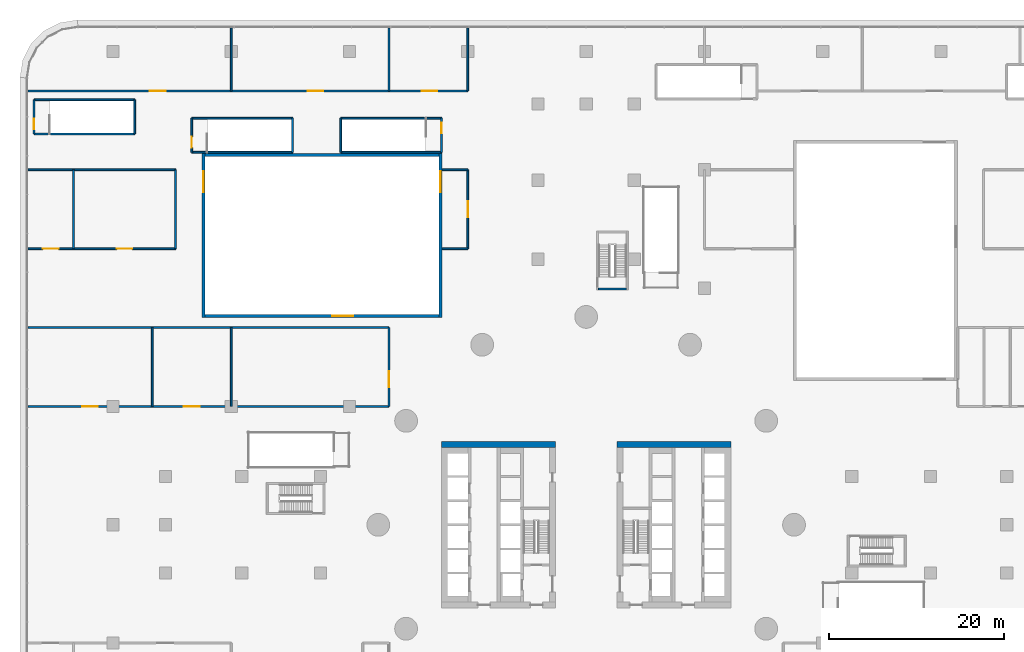
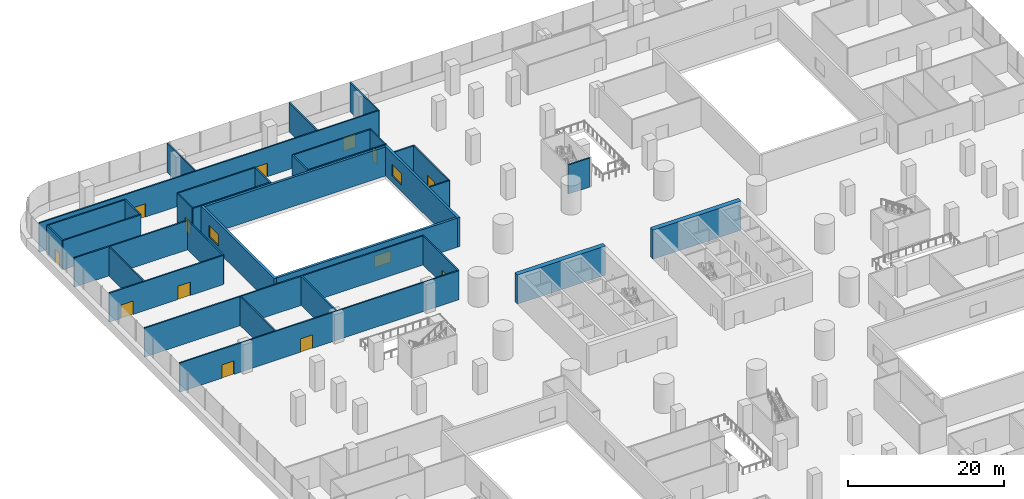
# One storey, part 27 of 38: 35 walls, 12 doors, 3 windows, 15 openings.
"""IFC4 building model written with IfcOpenShell, lengths in metres."""

from ifc_helpers import new_model, si_unit, direction, frame, frame_2d, origin, place, context, subcontext, project, spatial, rectangle, extrude, material, layer, layer_set, type_object, element, fill, save


model = new_model("IFC4")

# Units and contexts
model_context = context("Model", 3, precision=1e-05, world=origin(), true_north=direction((0.0, 1.0)))
body_context = subcontext(model_context, "Body", "Model", "MODEL_VIEW")
ifc_project = project(units=[si_unit("LENGTHUNIT", "METRE"), si_unit("AREAUNIT", "SQUARE_METRE"), si_unit("VOLUMEUNIT", "CUBIC_METRE"), si_unit("PLANEANGLEUNIT", "RADIAN"), si_unit("MASSUNIT", "GRAM", prefix="KILO")], contexts=[model_context])

# Site, building, storey
site_placement = place(None, origin())
site = spatial("IfcSite", under=ifc_project, at=site_placement, CompositionType="ELEMENT")
building_placement = place(site_placement, origin())
building = spatial("IfcBuilding", under=site, at=building_placement, Name="Tamarind Cross Interchange Tower", CompositionType="ELEMENT")
storey_placement = place(building_placement, frame((0.0, 0.0, 20.0)))
storey = spatial("IfcBuildingStorey", under=building, at=storey_placement, Name="L03", CompositionType="ELEMENT", Elevation=20.0)

# Walls
ifc_material_1 = material(Name="Concrete C80", Category="concrete")
ifc_layer_1 = layer(ifc_material_1, 0.699951171875)
ifc_layer_set_1 = layer_set([ifc_layer_1], Name="Concrete C80")
wall_type_1 = type_object("IfcWallType", Name="Core wall 700 mm Concrete C80", PredefinedType="SHEAR", material=ifc_layer_set_1)
for number, where, z_axis, x_axis, name in (
    (1, (-16.5, 9.14990234375, 0.0), (0.0, 0.0, 1.0), (1.0, 0.0, 0.0), "Core wall CWL-L03-W-NE"),
    (2, (16.5, 9.14990234375, 0.0), (0.0, 0.0, 1.0), (-1.0, 0.0, 0.0), "Core wall CWL-L03-E-NE"),
):
    element("IfcWall", number, at=place(storey_placement, frame(where, z_axis=z_axis, x_axis=x_axis)), inside=storey, type_object=wall_type_1, Name=name, PredefinedType="SHEAR", context=body_context, shape_type="SweptSolid", body=[
        extrude(rectangle(XDim=13.0, YDim=0.699951171875, at=frame_2d((6.5, 0.0))), origin(), (0.0, 0.0, 1.0), 4.550048828125),
    ])

# Wall, openings, doors
ifc_material_2 = material(Name="Masonry partition, fire-rated", Category="masonry")
ifc_layer_2 = layer(ifc_material_2, 0.199951171875)
ifc_layer_set_2 = layer_set([ifc_layer_2], Name="Masonry partition, fire-rated")
wall_type_2 = type_object("IfcWallType", Name="Fire partition 200 EI 120", PredefinedType="PARTITIONING", material=ifc_layer_set_2)
wall_1_placement = place(storey_placement, frame((-63.698974609375, 13.5, 0.0), z_axis=(0.0, 0.0, 1.0), x_axis=(1.0, 0.0, 0.0)))
wall_1 = element("IfcWall", 3, at=wall_1_placement, inside=storey, type_object=wall_type_2, Name="L03 partition 54", PredefinedType="PARTITIONING", context=body_context, shape_type="SweptSolid", body=[
    extrude(rectangle(XDim=41.198974609375, YDim=0.199951171875, at=frame_2d((20.599609375, 0.0))), origin(), (0.0, 0.0, 1.0), 4.550048828125),
])
opening_1_placement = place(wall_1_placement, frame((17.799072265625, 0.0, 0.0)))
opening_1 = element("IfcOpeningElement", 4, at=opening_1_placement, cuts=wall_1, Name="Opening DL03-25", PredefinedType="OPENING", context=body_context, shape_type="SweptSolid", body=[
    extrude(rectangle(XDim=1.800048828125, YDim=2.10009765625, at=frame_2d((0.89990234375, 1.050048828125))), frame((0.0, 0.10986328125, 0.0), z_axis=(0.0, -1.0, 0.0), x_axis=(1.0, 0.0, 0.0)), (0.0, 0.0, 1.0), 0.219970703125),
])
opening_2_placement = place(wall_1_placement, frame((6.198974609375, 0.0, 0.0)))
opening_2 = element("IfcOpeningElement", 5, at=opening_2_placement, cuts=wall_1, Name="Opening DL03-26", PredefinedType="OPENING", context=body_context, shape_type="SweptSolid", body=[
    extrude(rectangle(XDim=1.800048828125, YDim=2.10009765625, at=frame_2d((0.89990234375, 1.050048828125))), frame((0.0, 0.10986328125, 0.0), z_axis=(0.0, -1.0, 0.0), x_axis=(1.0, 0.0, 0.0)), (0.0, 0.0, 1.0), 0.219970703125),
])
ifc_material_3 = material(Name="Steel, fire-resisting", Category="steel")
door_type_1 = type_object("IfcDoorType", Name="Podium door 1800 x 2100 FD60", OperationType="SINGLE_SWING_LEFT", PredefinedType="DOOR", material=ifc_material_3)
door_1_placement = place(opening_1_placement, origin())
door_1 = element("IfcDoor", 6, at=door_1_placement, inside=storey, type_object=door_type_1, Name="L03 door Transit Office 0310", OperationType="SINGLE_SWING_LEFT", OverallHeight=2.10009765625, OverallWidth=1.800048828125, PredefinedType="DOOR", context=body_context, shape_type="SweptSolid", body=[
    extrude(rectangle(XDim=1.800048828125, YDim=2.10009765625, at=frame_2d((0.89990234375, 1.050048828125))), frame((0.0, 0.02490234375, 0.0), z_axis=(0.0, -1.0, 0.0), x_axis=(1.0, 0.0, 0.0)), (0.0, 0.0, 1.0), 0.050048828125),
])
fill(opening_1, door_1)
door_2_placement = place(opening_2_placement, origin())
door_2 = element("IfcDoor", 7, at=door_2_placement, inside=storey, type_object=door_type_1, Name="L03 door Library Reading Room 0311", OperationType="SINGLE_SWING_RIGHT", OverallHeight=2.10009765625, OverallWidth=1.800048828125, PredefinedType="DOOR", context=body_context, shape_type="SweptSolid", body=[
    extrude(rectangle(XDim=1.800048828125, YDim=2.10009765625, at=frame_2d((0.89990234375, 1.050048828125))), frame((0.0, 0.02490234375, 0.0), z_axis=(0.0, -1.0, 0.0), x_axis=(1.0, 0.0, 0.0)), (0.0, 0.0, 1.0), 0.050048828125),
])
fill(opening_2, door_2)

# Wall
wall_2_placement = place(storey_placement, frame((-63.698974609375, 22.5, 0.0), z_axis=(0.0, 0.0, 1.0), x_axis=(1.0, 0.0, 0.0)))
element("IfcWall", 8, at=wall_2_placement, inside=storey, type_object=wall_type_2, Name="L03 partition 55", PredefinedType="PARTITIONING", context=body_context, shape_type="SweptSolid", body=[
    extrude(rectangle(XDim=41.198974609375, YDim=0.199951171875, at=frame_2d((20.599609375, 0.0))), origin(), (0.0, 0.0, 1.0), 4.550048828125),
])

# Wall, openings, doors
wall_3_placement = place(storey_placement, frame((-63.698974609375, 31.5, 0.0), z_axis=(0.0, 0.0, 1.0), x_axis=(1.0, 0.0, 0.0)))
wall_3 = element("IfcWall", 9, at=wall_3_placement, inside=storey, type_object=wall_type_2, Name="L03 partition 56", PredefinedType="PARTITIONING", context=body_context, shape_type="SweptSolid", body=[
    extrude(rectangle(XDim=16.848876953125, YDim=0.199951171875, at=frame_2d((8.42431640625, 0.0))), origin(), (0.0, 0.0, 1.0), 4.550048828125),
])
opening_3_placement = place(wall_3_placement, frame((1.698974609375, 0.0, 0.0)))
opening_3 = element("IfcOpeningElement", 10, at=opening_3_placement, cuts=wall_3, Name="Opening DL03-28", PredefinedType="OPENING", context=body_context, shape_type="SweptSolid", body=[
    extrude(rectangle(XDim=1.800048828125, YDim=2.10009765625, at=frame_2d((0.89990234375, 1.050048828125))), frame((0.0, 0.10986328125, 0.0), z_axis=(0.0, -1.0, 0.0), x_axis=(1.0, 0.0, 0.0)), (0.0, 0.0, 1.0), 0.219970703125),
])
opening_4_placement = place(wall_3_placement, frame((10.134033203125, 0.0, 0.0)))
opening_4 = element("IfcOpeningElement", 11, at=opening_4_placement, cuts=wall_3, Name="Opening DL03-32", PredefinedType="OPENING", context=body_context, shape_type="SweptSolid", body=[
    extrude(rectangle(XDim=1.800048828125, YDim=2.10009765625, at=frame_2d((0.89990234375, 1.050048828125))), frame((0.0, 0.10986328125, 0.0), z_axis=(0.0, -1.0, 0.0), x_axis=(1.0, 0.0, 0.0)), (0.0, 0.0, 1.0), 0.219970703125),
])
door_3_placement = place(opening_3_placement, origin())
door_3 = element("IfcDoor", 12, at=door_3_placement, inside=storey, type_object=door_type_1, Name="L03 door Community Hall 0314", OperationType="SINGLE_SWING_RIGHT", OverallHeight=2.10009765625, OverallWidth=1.800048828125, PredefinedType="DOOR", context=body_context, shape_type="SweptSolid", body=[
    extrude(rectangle(XDim=1.800048828125, YDim=2.10009765625, at=frame_2d((0.89990234375, 1.050048828125))), frame((0.0, 0.02490234375, 0.0), z_axis=(0.0, -1.0, 0.0), x_axis=(1.0, 0.0, 0.0)), (0.0, 0.0, 1.0), 0.050048828125),
])
fill(opening_3, door_3)
door_4_placement = place(opening_4_placement, origin())
door_4 = element("IfcDoor", 13, at=door_4_placement, inside=storey, type_object=door_type_1, Name="L03 door Childcare Room 0313", OperationType="SINGLE_SWING_RIGHT", OverallHeight=2.10009765625, OverallWidth=1.800048828125, PredefinedType="DOOR", context=body_context, shape_type="SweptSolid", body=[
    extrude(rectangle(XDim=1.800048828125, YDim=2.10009765625, at=frame_2d((0.89990234375, 1.050048828125))), frame((0.0, 0.02490234375, 0.0), z_axis=(0.0, -1.0, 0.0), x_axis=(1.0, 0.0, 0.0)), (0.0, 0.0, 1.0), 0.050048828125),
])
fill(opening_4, door_4)

# Wall
wall_4_placement = place(storey_placement, frame((-63.698974609375, 40.5, 0.0), z_axis=(0.0, 0.0, 1.0), x_axis=(1.0, 0.0, 0.0)))
element("IfcWall", 14, at=wall_4_placement, inside=storey, type_object=wall_type_2, Name="L03 partition 57", PredefinedType="PARTITIONING", context=body_context, shape_type="SweptSolid", body=[
    extrude(rectangle(XDim=16.848876953125, YDim=0.199951171875, at=frame_2d((8.42431640625, 0.0))), origin(), (0.0, 0.0, 1.0), 4.550048828125),
])

# Wall, openings, doors
wall_5_placement = place(storey_placement, frame((-63.698974609375, 49.5, 0.0), z_axis=(0.0, 0.0, 1.0), x_axis=(1.0, 0.0, 0.0)))
wall_5 = element("IfcWall", 15, at=wall_5_placement, inside=storey, type_object=wall_type_2, Name="L03 partition 58", PredefinedType="PARTITIONING", context=body_context, shape_type="SweptSolid", body=[
    extrude(rectangle(XDim=50.198974609375, YDim=0.199951171875, at=frame_2d((25.099609375, 0.0))), origin(), (0.0, 0.0, 1.0), 4.550048828125),
])
opening_5_placement = place(wall_5_placement, frame((44.924072265625, 0.0, 0.0)))
opening_5 = element("IfcOpeningElement", 16, at=opening_5_placement, cuts=wall_5, Name="Opening DL03-29", PredefinedType="OPENING", context=body_context, shape_type="SweptSolid", body=[
    extrude(rectangle(XDim=1.800048828125, YDim=2.10009765625, at=frame_2d((0.89990234375, 1.050048828125))), frame((0.0, 0.10986328125, 0.0), z_axis=(0.0, -1.0, 0.0), x_axis=(1.0, 0.0, 0.0)), (0.0, 0.0, 1.0), 0.219970703125),
])
opening_6_placement = place(wall_5_placement, frame((31.924072265625, 0.0, 0.0)))
opening_6 = element("IfcOpeningElement", 17, at=opening_6_placement, cuts=wall_5, Name="Opening DL03-30", PredefinedType="OPENING", context=body_context, shape_type="SweptSolid", body=[
    extrude(rectangle(XDim=1.800048828125, YDim=2.10009765625, at=frame_2d((0.89990234375, 1.050048828125))), frame((0.0, 0.10986328125, 0.0), z_axis=(0.0, -1.0, 0.0), x_axis=(1.0, 0.0, 0.0)), (0.0, 0.0, 1.0), 0.219970703125),
])
opening_7_placement = place(wall_5_placement, frame((13.9140625, 0.0, 0.0)))
opening_7 = element("IfcOpeningElement", 18, at=opening_7_placement, cuts=wall_5, Name="Opening DL03-31", PredefinedType="OPENING", context=body_context, shape_type="SweptSolid", body=[
    extrude(rectangle(XDim=1.800048828125, YDim=2.10009765625, at=frame_2d((0.89990234375, 1.050048828125))), frame((0.0, 0.10986328125, 0.0), z_axis=(0.0, -1.0, 0.0), x_axis=(1.0, 0.0, 0.0)), (0.0, 0.0, 1.0), 0.219970703125),
])
door_5_placement = place(opening_5_placement, origin())
door_5 = element("IfcDoor", 19, at=door_5_placement, inside=storey, type_object=door_type_1, Name="L03 door Co-working Suite 0315", OperationType="SINGLE_SWING_LEFT", OverallHeight=2.10009765625, OverallWidth=1.800048828125, PredefinedType="DOOR", context=body_context, shape_type="SweptSolid", body=[
    extrude(rectangle(XDim=1.800048828125, YDim=2.10009765625, at=frame_2d((0.89990234375, 1.050048828125))), frame((0.0, 0.02490234375, 0.0), z_axis=(0.0, -1.0, 0.0), x_axis=(1.0, 0.0, 0.0)), (0.0, 0.0, 1.0), 0.050048828125),
])
fill(opening_5, door_5)
door_6_placement = place(opening_6_placement, origin())
door_6 = element("IfcDoor", 20, at=door_6_placement, inside=storey, type_object=door_type_1, Name="L03 door Community Hall 0316", OperationType="SINGLE_SWING_RIGHT", OverallHeight=2.10009765625, OverallWidth=1.800048828125, PredefinedType="DOOR", context=body_context, shape_type="SweptSolid", body=[
    extrude(rectangle(XDim=1.800048828125, YDim=2.10009765625, at=frame_2d((0.89990234375, 1.050048828125))), frame((0.0, 0.02490234375, 0.0), z_axis=(0.0, -1.0, 0.0), x_axis=(1.0, 0.0, 0.0)), (0.0, 0.0, 1.0), 0.050048828125),
])
fill(opening_6, door_6)
door_7_placement = place(opening_7_placement, origin())
door_7 = element("IfcDoor", 21, at=door_7_placement, inside=storey, type_object=door_type_1, Name="L03 door Library Reading Room 0317", OperationType="SINGLE_SWING_LEFT", OverallHeight=2.10009765625, OverallWidth=1.800048828125, PredefinedType="DOOR", context=body_context, shape_type="SweptSolid", body=[
    extrude(rectangle(XDim=1.800048828125, YDim=2.10009765625, at=frame_2d((0.89990234375, 1.050048828125))), frame((0.0, 0.02490234375, 0.0), z_axis=(0.0, -1.0, 0.0), x_axis=(1.0, 0.0, 0.0)), (0.0, 0.0, 1.0), 0.050048828125),
])
fill(opening_7, door_7)

# Walls
for number, where, z_axis, x_axis, name in (
    (22, (-46.85009765625, 31.5, 0.0), (0.0, 0.0, 1.0), (0.0, 1.0, 0.0), "L03 partition 64"),
    (23, (-58.5, 31.5, 0.0), (0.0, 0.0, 1.0), (0.0, 1.0, 0.0), "L03 partition 65"),
    (24, (-49.5, 13.5, 0.0), (0.0, 0.0, 1.0), (0.0, 1.0, 0.0), "L03 partition 66"),
):
    element("IfcWall", number, at=place(storey_placement, frame(where, z_axis=z_axis, x_axis=x_axis)), inside=storey, type_object=wall_type_2, Name=name, PredefinedType="PARTITIONING", context=body_context, shape_type="SweptSolid", body=[
        extrude(rectangle(XDim=9.0, YDim=0.199951171875, at=frame_2d((4.5, 0.0))), origin(), (0.0, 0.0, 1.0), 4.550048828125),
    ])

# Wall, opening, door
wall_6_placement = place(storey_placement, frame((-22.5, 13.5, 0.0), z_axis=(0.0, 0.0, 1.0), x_axis=(0.0, 1.0, 0.0)))
wall_6 = element("IfcWall", 25, at=wall_6_placement, inside=storey, type_object=wall_type_2, Name="L03 partition 70", PredefinedType="PARTITIONING", context=body_context, shape_type="SweptSolid", body=[
    extrude(rectangle(XDim=9.0, YDim=0.199951171875, at=frame_2d((4.5, 0.0))), origin(), (0.0, 0.0, 1.0), 4.550048828125),
])
opening_8_placement = place(wall_6_placement, frame((2.212890625, 0.0, 0.0)))
opening_8 = element("IfcOpeningElement", 26, at=opening_8_placement, cuts=wall_6, Name="Opening DL03-24", PredefinedType="OPENING", context=body_context, shape_type="SweptSolid", body=[
    extrude(rectangle(XDim=1.800048828125, YDim=2.10009765625, at=frame_2d((0.89990234375, 1.050048828125))), frame((0.0, 0.10986328125, 0.0), z_axis=(0.0, -1.0, 0.0), x_axis=(1.0, 0.0, 0.0)), (0.0, 0.0, 1.0), 0.219970703125),
])
door_8_placement = place(opening_8_placement, origin())
door_8 = element("IfcDoor", 27, at=door_8_placement, inside=storey, type_object=door_type_1, Name="L03 door Co-working Suite 0309", OperationType="SINGLE_SWING_RIGHT", OverallHeight=2.10009765625, OverallWidth=1.800048828125, PredefinedType="DOOR", context=body_context, shape_type="SweptSolid", body=[
    extrude(rectangle(XDim=1.800048828125, YDim=2.10009765625, at=frame_2d((0.89990234375, 1.050048828125))), frame((0.0, 0.02490234375, 0.0), z_axis=(0.0, -1.0, 0.0), x_axis=(1.0, 0.0, 0.0)), (0.0, 0.0, 1.0), 0.050048828125),
])
fill(opening_8, door_8)

# Walls
wall_7_placement = place(storey_placement, frame((-40.5, 13.5, 0.0), z_axis=(0.0, 0.0, 1.0), x_axis=(0.0, 1.0, 0.0)))
element("IfcWall", 28, at=wall_7_placement, inside=storey, type_object=wall_type_2, Name="L03 partition 71", PredefinedType="PARTITIONING", context=body_context, shape_type="SweptSolid", body=[
    extrude(rectangle(XDim=9.0, YDim=0.199951171875, at=frame_2d((4.5, 0.0))), origin(), (0.0, 0.0, 1.0), 4.550048828125),
])
for number, where, z_axis, x_axis, name in (
    (29, (-40.5, 49.5, 0.0), (0.0, 0.0, 1.0), (0.0, 1.0, 0.0), "L03 partition 72"),
    (30, (-13.5, 49.5, 0.0), (0.0, 0.0, 1.0), (0.0, 1.0, 0.0), "L03 partition 80"),
    (31, (-22.5, 49.5, 0.0), (0.0, 0.0, 1.0), (0.0, 1.0, 0.0), "L03 partition 81"),
):
    element("IfcWall", number, at=place(storey_placement, frame(where, z_axis=z_axis, x_axis=x_axis)), inside=storey, type_object=wall_type_2, Name=name, PredefinedType="PARTITIONING", context=body_context, shape_type="SweptSolid", body=[
        extrude(rectangle(XDim=7.198974609375, YDim=0.199951171875, at=frame_2d((3.599609375, 0.0))), origin(), (0.0, 0.0, 1.0), 4.550048828125),
    ])
wall_8_placement = place(storey_placement, frame((-16.419921875, 40.5, 0.0), z_axis=(0.0, 0.0, 1.0), x_axis=(1.0, 0.0, 0.0)))
element("IfcWall", 32, at=wall_8_placement, inside=storey, type_object=wall_type_2, Name="L03 partition 82", PredefinedType="PARTITIONING", context=body_context, shape_type="SweptSolid", body=[
    extrude(rectangle(XDim=2.919921875, YDim=0.199951171875, at=frame_2d((1.4599609375, 0.0))), origin(), (0.0, 0.0, 1.0), 4.550048828125),
])

# Wall, opening, door
wall_9_placement = place(storey_placement, frame((-13.5, 31.5, 0.0), z_axis=(0.0, 0.0, 1.0), x_axis=(0.0, 1.0, 0.0)))
wall_9 = element("IfcWall", 33, at=wall_9_placement, inside=storey, type_object=wall_type_2, Name="L03 partition 83", PredefinedType="PARTITIONING", context=body_context, shape_type="SweptSolid", body=[
    extrude(rectangle(XDim=9.0, YDim=0.199951171875, at=frame_2d((4.5, 0.0))), origin(), (0.0, 0.0, 1.0), 4.550048828125),
])
opening_9_placement = place(wall_9_placement, frame((3.610107421875, 0.0, 0.0)))
opening_9 = element("IfcOpeningElement", 34, at=opening_9_placement, cuts=wall_9, Name="Opening DL03-27", PredefinedType="OPENING", context=body_context, shape_type="SweptSolid", body=[
    extrude(rectangle(XDim=1.800048828125, YDim=2.10009765625, at=frame_2d((0.89990234375, 1.050048828125))), frame((0.0, 0.10986328125, 0.0), z_axis=(0.0, -1.0, 0.0), x_axis=(1.0, 0.0, 0.0)), (0.0, 0.0, 1.0), 0.219970703125),
])
door_9_placement = place(opening_9_placement, origin())
door_9 = element("IfcDoor", 35, at=door_9_placement, inside=storey, type_object=door_type_1, Name="L03 door Health Clinic 0312", OperationType="SINGLE_SWING_LEFT", OverallHeight=2.10009765625, OverallWidth=1.800048828125, PredefinedType="DOOR", context=body_context, shape_type="SweptSolid", body=[
    extrude(rectangle(XDim=1.800048828125, YDim=2.10009765625, at=frame_2d((0.89990234375, 1.050048828125))), frame((0.0, 0.02490234375, 0.0), z_axis=(0.0, -1.0, 0.0), x_axis=(1.0, 0.0, 0.0)), (0.0, 0.0, 1.0), 0.050048828125),
])
fill(opening_9, door_9)

# Wall
wall_10_placement = place(storey_placement, frame((-16.419921875, 31.5, 0.0), z_axis=(0.0, 0.0, 1.0), x_axis=(1.0, 0.0, 0.0)))
element("IfcWall", 36, at=wall_10_placement, inside=storey, type_object=wall_type_2, Name="L03 partition 84", PredefinedType="PARTITIONING", context=body_context, shape_type="SweptSolid", body=[
    extrude(rectangle(XDim=2.919921875, YDim=0.199951171875, at=frame_2d((1.4599609375, 0.0))), origin(), (0.0, 0.0, 1.0), 4.550048828125),
])

# Wall, opening, window
ifc_material_4 = material(Name="Precast concrete C40", Category="concrete")
ifc_layer_3 = layer(ifc_material_4, 0.35009765625)
ifc_layer_set_3 = layer_set([ifc_layer_3], Name="Precast concrete C40")
wall_type_3 = type_object("IfcWallType", Name="Podium facade wall", PredefinedType="SOLIDWALL", material=ifc_layer_set_3)
wall_11_placement = place(storey_placement, frame((-43.5, 23.824951171875, 0.0), z_axis=(0.0, 0.0, 1.0), x_axis=(1.0, 0.0, 0.0)))
wall_11 = element("IfcWall", 37, at=wall_11_placement, inside=storey, type_object=wall_type_3, Name="CTW-L03-NWS00", PredefinedType="SOLIDWALL", context=body_context, shape_type="SweptSolid", body=[
    extrude(rectangle(XDim=26.699951171875, YDim=0.35009765625, at=frame_2d((13.35009765625, 0.0))), origin(), (0.0, 0.0, 1.0), 4.550048828125),
])
opening_10_placement = place(wall_11_placement, frame((14.550048828125, 0.0, 1.0)))
opening_10 = element("IfcOpeningElement", 38, at=opening_10_placement, cuts=wall_11, Name="Opening W4", PredefinedType="OPENING", context=body_context, shape_type="SweptSolid", body=[
    extrude(rectangle(XDim=2.39990234375, YDim=1.800048828125, at=frame_2d((1.199951171875, 0.89990234375))), frame((0.0, 0.18505859375, 0.0), z_axis=(0.0, -1.0, 0.0), x_axis=(1.0, 0.0, 0.0)), (0.0, 0.0, 1.0), 0.3701171875),
])
ifc_material_5 = material(Name="Aluminium and toughened glass", Category="aluminium")
window_type = type_object("IfcWindowType", Name="Podium daylight window", PartitioningType="SINGLE_PANEL", PredefinedType="WINDOW", material=ifc_material_5)
window_1_placement = place(opening_10_placement, origin())
window_1 = element("IfcWindow", 39, at=window_1_placement, inside=storey, type_object=window_type, Name="CTX-L03-NWS-01-00", OverallHeight=1.800048828125, OverallWidth=2.39990234375, PartitioningType="SINGLE_PANEL", PredefinedType="WINDOW", context=body_context, shape_type="SweptSolid", body=[
    extrude(rectangle(XDim=2.39990234375, YDim=1.800048828125, at=frame_2d((1.199951171875, 0.89990234375))), frame((0.0, 0.030029296875, 0.0), z_axis=(0.0, -1.0, 0.0), x_axis=(1.0, 0.0, 0.0)), (0.0, 0.0, 1.0), 0.06005859375),
])
fill(opening_10, window_1)

# Wall
wall_12_placement = place(storey_placement, frame((-43.5, 42.175048828125, 0.0), z_axis=(0.0, 0.0, 1.0), x_axis=(1.0, 0.0, 0.0)))
element("IfcWall", 40, at=wall_12_placement, inside=storey, type_object=wall_type_3, Name="CTW-L03-NWN00", PredefinedType="SOLIDWALL", context=body_context, shape_type="SweptSolid", body=[
    extrude(rectangle(XDim=26.699951171875, YDim=0.35009765625, at=frame_2d((13.35009765625, 0.0))), origin(), (0.0, 0.0, 1.0), 4.550048828125),
])

# Wall, opening, window
wall_13_placement = place(storey_placement, frame((-43.675048828125, 23.64990234375, 0.0), z_axis=(0.0, 0.0, 1.0), x_axis=(0.0, 1.0, 0.0)))
wall_13 = element("IfcWall", 41, at=wall_13_placement, inside=storey, type_object=wall_type_3, Name="CTW-L03-NWW00", PredefinedType="SOLIDWALL", context=body_context, shape_type="SweptSolid", body=[
    extrude(rectangle(XDim=18.7001953125, YDim=0.35009765625, at=frame_2d((9.35009765625, 0.0))), origin(), (0.0, 0.0, 1.0), 4.550048828125),
])
opening_11_placement = place(wall_13_placement, frame((14.300048828125, 0.0, 1.0)))
opening_11 = element("IfcOpeningElement", 42, at=opening_11_placement, cuts=wall_13, Name="Opening W4", PredefinedType="OPENING", context=body_context, shape_type="SweptSolid", body=[
    extrude(rectangle(XDim=2.39990234375, YDim=1.800048828125, at=frame_2d((1.199951171875, 0.89990234375))), frame((0.0, 0.18505859375, 0.0), z_axis=(0.0, -1.0, 0.0), x_axis=(1.0, 0.0, 0.0)), (0.0, 0.0, 1.0), 0.3701171875),
])
window_2_placement = place(opening_11_placement, origin())
window_2 = element("IfcWindow", 43, at=window_2_placement, inside=storey, type_object=window_type, Name="CTX-L03-NWW-01-00", OverallHeight=1.800048828125, OverallWidth=2.39990234375, PartitioningType="SINGLE_PANEL", PredefinedType="WINDOW", context=body_context, shape_type="SweptSolid", body=[
    extrude(rectangle(XDim=2.39990234375, YDim=1.800048828125, at=frame_2d((1.199951171875, 0.89990234375))), frame((0.0, 0.030029296875, 0.0), z_axis=(0.0, -1.0, 0.0), x_axis=(1.0, 0.0, 0.0)), (0.0, 0.0, 1.0), 0.06005859375),
])
fill(opening_11, window_2)

wall_14_placement = place(storey_placement, frame((-16.625, 23.64990234375, 0.0), z_axis=(0.0, 0.0, 1.0), x_axis=(0.0, 1.0, 0.0)))
wall_14 = element("IfcWall", 44, at=wall_14_placement, inside=storey, type_object=wall_type_3, Name="CTW-L03-NWE00", PredefinedType="SOLIDWALL", context=body_context, shape_type="SweptSolid", body=[
    extrude(rectangle(XDim=18.7001953125, YDim=0.35009765625, at=frame_2d((9.35009765625, 0.0))), origin(), (0.0, 0.0, 1.0), 4.550048828125),
])
opening_12_placement = place(wall_14_placement, frame((14.300048828125, 0.0, 1.0)))
opening_12 = element("IfcOpeningElement", 45, at=opening_12_placement, cuts=wall_14, Name="Opening W4", PredefinedType="OPENING", context=body_context, shape_type="SweptSolid", body=[
    extrude(rectangle(XDim=2.39990234375, YDim=1.800048828125, at=frame_2d((1.199951171875, 0.89990234375))), frame((0.0, 0.18505859375, 0.0), z_axis=(0.0, -1.0, 0.0), x_axis=(1.0, 0.0, 0.0)), (0.0, 0.0, 1.0), 0.3701171875),
])
window_3_placement = place(opening_12_placement, origin())
window_3 = element("IfcWindow", 46, at=window_3_placement, inside=storey, type_object=window_type, Name="CTX-L03-NWE-01-00", OverallHeight=1.800048828125, OverallWidth=2.39990234375, PartitioningType="SINGLE_PANEL", PredefinedType="WINDOW", context=body_context, shape_type="SweptSolid", body=[
    extrude(rectangle(XDim=2.39990234375, YDim=1.800048828125, at=frame_2d((1.199951171875, 0.89990234375))), frame((0.0, 0.030029296875, 0.0), z_axis=(0.0, -1.0, 0.0), x_axis=(1.0, 0.0, 0.0)), (0.0, 0.0, 1.0), 0.06005859375),
])
fill(opening_12, window_3)

# Walls
ifc_material_6 = material(Name="Concrete C40", Category="concrete")
ifc_layer_4 = layer(ifc_material_6, 0.199951171875)
ifc_layer_set_4 = layer_set([ifc_layer_4], Name="Concrete C40")
wall_type_4 = type_object("IfcWallType", Name="Stair shaft wall 200 EI 180", PredefinedType="PARTITIONING", material=ifc_layer_set_4)
wall_15_placement = place(storey_placement, frame((-63.0, 48.5, 0.0), z_axis=(0.0, 0.0, 1.0), x_axis=(1.0, 0.0, 0.0)))
element("IfcWall", 47, at=wall_15_placement, inside=storey, type_object=wall_type_4, Name="L03 stair shaft wall 1", PredefinedType="PARTITIONING", context=body_context, shape_type="SweptSolid", body=[
    extrude(rectangle(XDim=11.5, YDim=0.199951171875, at=frame_2d((5.75, 0.0))), origin(), (0.0, 0.0, 1.0), 4.550048828125),
])
wall_16_placement = place(storey_placement, frame((-51.5, 44.60009765625, 0.0), z_axis=(0.0, 0.0, 1.0), x_axis=(0.0, 1.0, 0.0)))
element("IfcWall", 48, at=wall_16_placement, inside=storey, type_object=wall_type_4, Name="L03 stair shaft wall 2", PredefinedType="PARTITIONING", context=body_context, shape_type="SweptSolid", body=[
    extrude(rectangle(XDim=3.89990234375, YDim=0.199951171875, at=frame_2d((1.949951171875, 0.0))), origin(), (0.0, 0.0, 1.0), 4.550048828125),
])
wall_17_placement = place(storey_placement, frame((-63.0, 44.60009765625, 0.0), z_axis=(0.0, 0.0, 1.0), x_axis=(1.0, 0.0, 0.0)))
element("IfcWall", 49, at=wall_17_placement, inside=storey, type_object=wall_type_4, Name="L03 stair shaft wall 3", PredefinedType="PARTITIONING", context=body_context, shape_type="SweptSolid", body=[
    extrude(rectangle(XDim=11.5, YDim=0.199951171875, at=frame_2d((5.75, 0.0))), origin(), (0.0, 0.0, 1.0), 4.550048828125),
])

# Wall, opening, door
wall_18_placement = place(storey_placement, frame((-63.0, 44.60009765625, 0.0), z_axis=(0.0, 0.0, 1.0), x_axis=(0.0, 1.0, 0.0)))
wall_18 = element("IfcWall", 50, at=wall_18_placement, inside=storey, type_object=wall_type_4, Name="L03 stair shaft wall 4", PredefinedType="PARTITIONING", context=body_context, shape_type="SweptSolid", body=[
    extrude(rectangle(XDim=3.89990234375, YDim=0.199951171875, at=frame_2d((1.949951171875, 0.0))), origin(), (0.0, 0.0, 1.0), 4.550048828125),
])
opening_13_placement = place(wall_18_placement, frame((0.550048828125, 0.0, 0.0)))
opening_13 = element("IfcOpeningElement", 51, at=opening_13_placement, cuts=wall_18, Name="Opening DL03-05", PredefinedType="OPENING", context=body_context, shape_type="SweptSolid", body=[
    extrude(rectangle(XDim=1.199951171875, YDim=2.10009765625, at=frame_2d((0.60009765625, 1.050048828125))), frame((0.0, 0.10986328125, 0.0), z_axis=(0.0, -1.0, 0.0), x_axis=(1.0, 0.0, 0.0)), (0.0, 0.0, 1.0), 0.219970703125),
])
door_type_2 = type_object("IfcDoorType", Name="Podium door 1200 x 2100 FD90", OperationType="SINGLE_SWING_LEFT", PredefinedType="DOOR", material=ifc_material_3)
door_10_placement = place(opening_13_placement, origin())
door_10 = element("IfcDoor", 52, at=door_10_placement, inside=storey, type_object=door_type_2, Name="L03 door Exit Stair PX5", OperationType="SINGLE_SWING_LEFT", OverallHeight=2.10009765625, OverallWidth=1.199951171875, PredefinedType="DOOR", context=body_context, shape_type="SweptSolid", body=[
    extrude(rectangle(XDim=1.199951171875, YDim=2.10009765625, at=frame_2d((0.60009765625, 1.050048828125))), frame((0.0, 0.02490234375, 0.0), z_axis=(0.0, -1.0, 0.0), x_axis=(1.0, 0.0, 0.0)), (0.0, 0.0, 1.0), 0.050048828125),
])
fill(opening_13, door_10)

# Walls
wall_19_placement = place(storey_placement, frame((-45.0, 46.39990234375, 0.0), z_axis=(0.0, 0.0, 1.0), x_axis=(1.0, 0.0, 0.0)))
element("IfcWall", 53, at=wall_19_placement, inside=storey, type_object=wall_type_4, Name="L03 stair shaft wall 13", PredefinedType="PARTITIONING", context=body_context, shape_type="SweptSolid", body=[
    extrude(rectangle(XDim=11.5, YDim=0.199951171875, at=frame_2d((5.75, 0.0))), origin(), (0.0, 0.0, 1.0), 4.550048828125),
])
wall_20_placement = place(storey_placement, frame((-33.5, 42.5, 0.0), z_axis=(0.0, 0.0, 1.0), x_axis=(0.0, 1.0, 0.0)))
element("IfcWall", 54, at=wall_20_placement, inside=storey, type_object=wall_type_4, Name="L03 stair shaft wall 14", PredefinedType="PARTITIONING", context=body_context, shape_type="SweptSolid", body=[
    extrude(rectangle(XDim=3.89990234375, YDim=0.199951171875, at=frame_2d((1.949951171875, 0.0))), origin(), (0.0, 0.0, 1.0), 4.550048828125),
])
wall_21_placement = place(storey_placement, frame((-45.0, 42.5, 0.0), z_axis=(0.0, 0.0, 1.0), x_axis=(1.0, 0.0, 0.0)))
element("IfcWall", 55, at=wall_21_placement, inside=storey, type_object=wall_type_4, Name="L03 stair shaft wall 15", PredefinedType="PARTITIONING", context=body_context, shape_type="SweptSolid", body=[
    extrude(rectangle(XDim=11.5, YDim=0.199951171875, at=frame_2d((5.75, 0.0))), origin(), (0.0, 0.0, 1.0), 4.550048828125),
])

# Wall, opening, door
wall_22_placement = place(storey_placement, frame((-45.0, 42.5, 0.0), z_axis=(0.0, 0.0, 1.0), x_axis=(0.0, 1.0, 0.0)))
wall_22 = element("IfcWall", 56, at=wall_22_placement, inside=storey, type_object=wall_type_4, Name="L03 stair shaft wall 16", PredefinedType="PARTITIONING", context=body_context, shape_type="SweptSolid", body=[
    extrude(rectangle(XDim=3.89990234375, YDim=0.199951171875, at=frame_2d((1.949951171875, 0.0))), origin(), (0.0, 0.0, 1.0), 4.550048828125),
])
opening_14_placement = place(wall_22_placement, frame((0.550048828125, 0.0, 0.0)))
opening_14 = element("IfcOpeningElement", 57, at=opening_14_placement, cuts=wall_22, Name="Opening DL03-04", PredefinedType="OPENING", context=body_context, shape_type="SweptSolid", body=[
    extrude(rectangle(XDim=1.199951171875, YDim=2.10009765625, at=frame_2d((0.60009765625, 1.050048828125))), frame((0.0, 0.10986328125, 0.0), z_axis=(0.0, -1.0, 0.0), x_axis=(1.0, 0.0, 0.0)), (0.0, 0.0, 1.0), 0.219970703125),
])
door_11_placement = place(opening_14_placement, origin())
door_11 = element("IfcDoor", 58, at=door_11_placement, inside=storey, type_object=door_type_2, Name="L03 door Exit Stair PX4", OperationType="SINGLE_SWING_RIGHT", OverallHeight=2.10009765625, OverallWidth=1.199951171875, PredefinedType="DOOR", context=body_context, shape_type="SweptSolid", body=[
    extrude(rectangle(XDim=1.199951171875, YDim=2.10009765625, at=frame_2d((0.60009765625, 1.050048828125))), frame((0.0, 0.02490234375, 0.0), z_axis=(0.0, -1.0, 0.0), x_axis=(1.0, 0.0, 0.0)), (0.0, 0.0, 1.0), 0.050048828125),
])
fill(opening_14, door_11)

# Walls
wall_23_placement = place(storey_placement, frame((-28.0, 42.5, 0.0), z_axis=(0.0, 0.0, 1.0), x_axis=(1.0, 0.0, 0.0)))
element("IfcWall", 59, at=wall_23_placement, inside=storey, type_object=wall_type_4, Name="L03 stair shaft wall 21", PredefinedType="PARTITIONING", context=body_context, shape_type="SweptSolid", body=[
    extrude(rectangle(XDim=11.5, YDim=0.199951171875, at=frame_2d((5.75, 0.0))), origin(), (0.0, 0.0, 1.0), 4.550048828125),
])
wall_24_placement = place(storey_placement, frame((-28.0, 42.5, 0.0), z_axis=(0.0, 0.0, 1.0), x_axis=(0.0, 1.0, 0.0)))
element("IfcWall", 60, at=wall_24_placement, inside=storey, type_object=wall_type_4, Name="L03 stair shaft wall 22", PredefinedType="PARTITIONING", context=body_context, shape_type="SweptSolid", body=[
    extrude(rectangle(XDim=3.89990234375, YDim=0.199951171875, at=frame_2d((1.949951171875, 0.0))), origin(), (0.0, 0.0, 1.0), 4.550048828125),
])
wall_25_placement = place(storey_placement, frame((-28.0, 46.39990234375, 0.0), z_axis=(0.0, 0.0, 1.0), x_axis=(1.0, 0.0, 0.0)))
element("IfcWall", 61, at=wall_25_placement, inside=storey, type_object=wall_type_4, Name="L03 stair shaft wall 23", PredefinedType="PARTITIONING", context=body_context, shape_type="SweptSolid", body=[
    extrude(rectangle(XDim=11.5, YDim=0.199951171875, at=frame_2d((5.75, 0.0))), origin(), (0.0, 0.0, 1.0), 4.550048828125),
])

# Wall, opening, door
wall_26_placement = place(storey_placement, frame((-16.5, 42.5, 0.0), z_axis=(0.0, 0.0, 1.0), x_axis=(0.0, 1.0, 0.0)))
wall_26 = element("IfcWall", 62, at=wall_26_placement, inside=storey, type_object=wall_type_4, Name="L03 stair shaft wall 24", PredefinedType="PARTITIONING", context=body_context, shape_type="SweptSolid", body=[
    extrude(rectangle(XDim=3.89990234375, YDim=0.199951171875, at=frame_2d((1.949951171875, 0.0))), origin(), (0.0, 0.0, 1.0), 4.550048828125),
])
opening_15_placement = place(wall_26_placement, frame((2.14990234375, 0.0, 0.0)))
opening_15 = element("IfcOpeningElement", 63, at=opening_15_placement, cuts=wall_26, Name="Opening DL03-06", PredefinedType="OPENING", context=body_context, shape_type="SweptSolid", body=[
    extrude(rectangle(XDim=1.199951171875, YDim=2.10009765625, at=frame_2d((0.60009765625, 1.050048828125))), frame((0.0, 0.10986328125, 0.0), z_axis=(0.0, -1.0, 0.0), x_axis=(1.0, 0.0, 0.0)), (0.0, 0.0, 1.0), 0.219970703125),
])
door_12_placement = place(opening_15_placement, origin())
door_12 = element("IfcDoor", 64, at=door_12_placement, inside=storey, type_object=door_type_2, Name="L03 door Exit Stair PX6", OperationType="SINGLE_SWING_RIGHT", OverallHeight=2.10009765625, OverallWidth=1.199951171875, PredefinedType="DOOR", context=body_context, shape_type="SweptSolid", body=[
    extrude(rectangle(XDim=1.199951171875, YDim=2.10009765625, at=frame_2d((0.60009765625, 1.050048828125))), frame((0.0, 0.02490234375, 0.0), z_axis=(0.0, -1.0, 0.0), x_axis=(1.0, 0.0, 0.0)), (0.0, 0.0, 1.0), 0.050048828125),
])
fill(opening_15, door_12)

# Wall
ifc_layer_5 = layer(ifc_material_6, 0.199951171875)
ifc_layer_set_5 = layer_set([ifc_layer_5], Name="Concrete C40")
wall_type_5 = type_object("IfcWallType", Name="Stair shaft wall 200 mm Concrete C40", PredefinedType="SHEAR", material=ifc_layer_set_5)
wall_27_placement = place(storey_placement, frame((4.60009765625, 26.89990234375, 0.0), z_axis=(0.0, 0.0, 1.0), x_axis=(-1.0, 0.0, 0.0)))
element("IfcWall", 65, at=wall_27_placement, inside=storey, type_object=wall_type_5, Name="Core wall CWL-L03-ST4-CE", PredefinedType="SHEAR", context=body_context, shape_type="SweptSolid", body=[
    extrude(rectangle(XDim=3.2001953125, YDim=0.199951171875, at=frame_2d((1.60009765625, 0.0))), origin(), (0.0, 0.0, 1.0), 4.550048828125),
])

save(model, "model.ifc")
